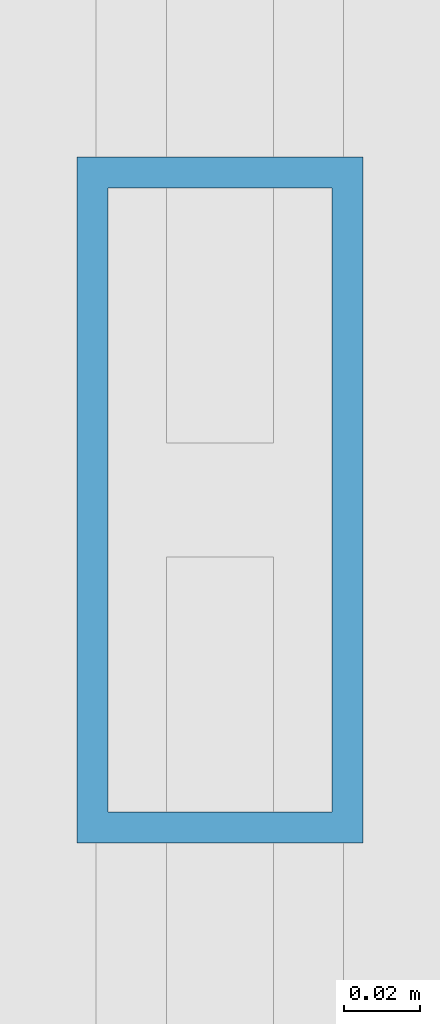
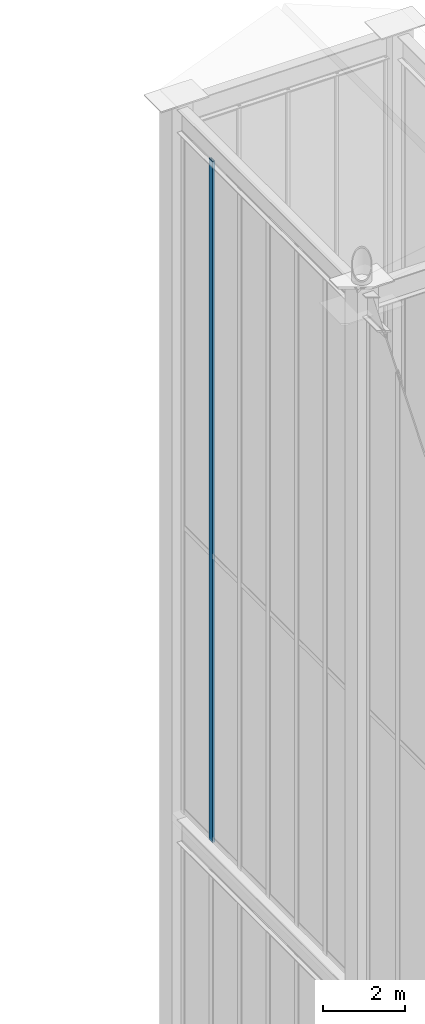
# One storey, part 104 of 135: 1 member, 1 element without a shape of its own.
"""IFC4 building model written with IfcOpenShell, lengths in metres."""

from ifc_helpers import new_model, si_unit, direction, frame, origin, origin_2d, place, context, subcontext, project, spatial, hollow_rectangle, extrude, source, transform, mapped, material, layer, layer_set, material_profile, profile_set, type_object, element, aggregate, save


model = new_model("IFC4")

# Units and contexts
model_context = context("Model", 3, precision=1e-05, world=origin(), true_north=direction((0.0, 1.0)))
body_context = subcontext(model_context, "Body", "Model", "MODEL_VIEW")
ifc_project = project(units=[si_unit("LENGTHUNIT", "METRE"), si_unit("AREAUNIT", "SQUARE_METRE"), si_unit("VOLUMEUNIT", "CUBIC_METRE"), si_unit("PLANEANGLEUNIT", "RADIAN"), si_unit("MASSUNIT", "GRAM", prefix="KILO")], contexts=[model_context])

# Site, building, storey
site_placement = place(None, origin())
site = spatial("IfcSite", under=ifc_project, at=site_placement, CompositionType="ELEMENT")
building_placement = place(site_placement, origin())
building = spatial("IfcBuilding", under=site, at=building_placement, Name="Giltprow Tower", CompositionType="ELEMENT")
storey_placement = place(building_placement, frame((0.0, 0.0, 352.699951171875)))
storey = spatial("IfcBuildingStorey", under=building, at=storey_placement, Name="L92", CompositionType="ELEMENT", Elevation=352.699951171875)

# Curtain wall, member
ifc_material = material(Name="Anodized bronze", Category="metal")
ifc_layer = layer(ifc_material, 0.179931640625, Name="Anodized bronze")
ifc_layer_set = layer_set([ifc_layer], Name="Anodized bronze")
curtain_wall_type = type_object("IfcCurtainWallType", Name="CW-CROWN-LANTERN", PredefinedType="NOTDEFINED", material=ifc_layer_set)
curtain_wall_placement = place(storey_placement, origin())
curtain_wall = element("IfcCurtainWall", 1, at=curtain_wall_placement, inside=storey, type_object=curtain_wall_type, Name="Crown East Upper Lantern Glazing 5", PredefinedType="NOTDEFINED")
ifc_material_profile = material_profile(ifc_material, hollow_rectangle(XDim=0.074951171875, YDim=0.179931640625, WallThickness=0.008056640625, at=origin_2d()), Name="RHS 180x75x8")
ifc_profile_set = profile_set([ifc_material_profile], Name="Anodized bronze")
member_type = type_object("IfcMemberType", Name="CW-MULLION-180x75", PredefinedType="MULLION", material=ifc_profile_set)
shared_shape = source(origin(), body_context, "Body", "SweptSolid", [
    extrude(hollow_rectangle(XDim=0.074951171875, YDim=0.179931640625, WallThickness=0.008056640625, at=origin_2d()), origin(), (0.0, 0.0, 1.0), 20.406005859375),
])
member_placement = place(storey_placement, frame((44.300048828125, 44.800048828125, 17.25), z_axis=(0.0, 0.0, 1.0), x_axis=(1.0, 0.0, 0.0)))
member = element("IfcMember", 2, at=member_placement, type_object=member_type, Name="Crown East Upper Lantern Glazing 5 Mullion 2", PredefinedType="MULLION", context=body_context, shape_type="MappedRepresentation", body=[
    mapped(shared_shape, transform((0.0, 0.0, 0.0), x_axis=(1.0, 0.0, 0.0), y_axis=(0.0, 1.0, 0.0), z_axis=(0.0, 0.0, 1.0), scale=1.0)),
])
aggregate(curtain_wall, [member])

save(model, "model.ifc")
